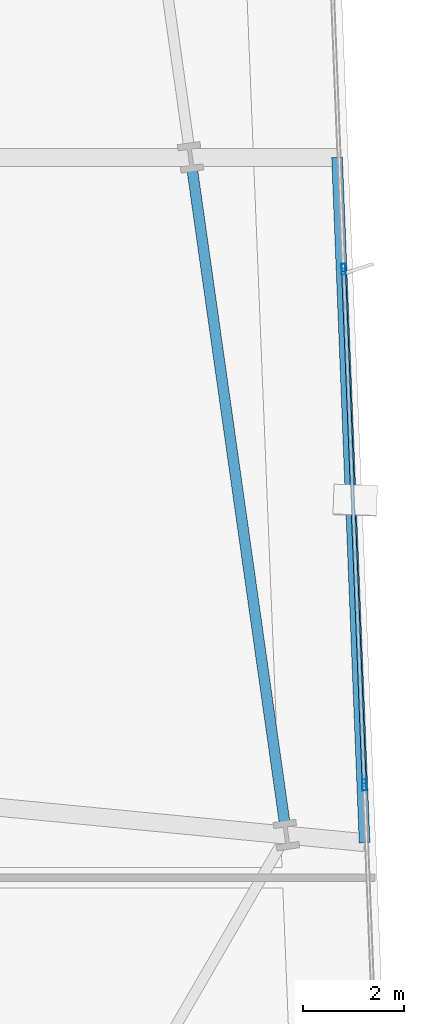
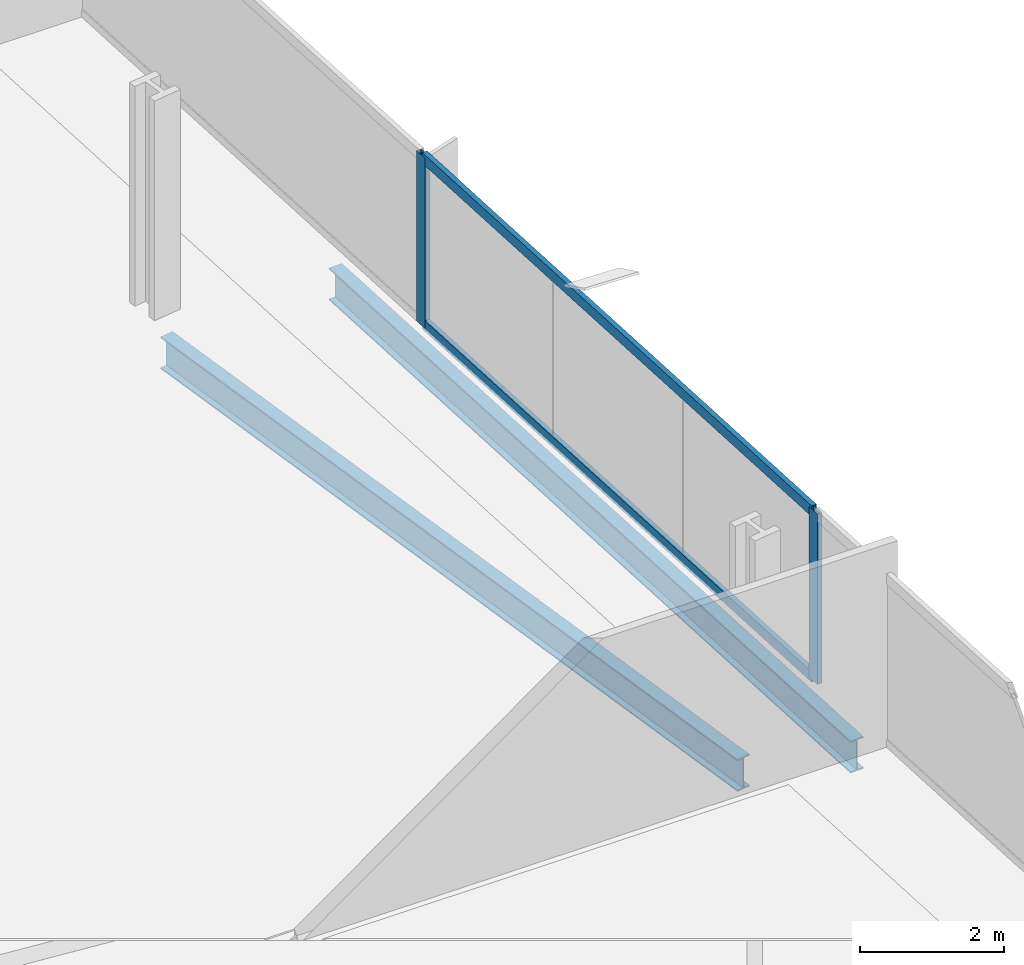
# One storey, part 13 of 32: 4 members, 2 beams, 1 element without a shape of its own.
"""IFC4 building model written with IfcOpenShell, lengths in metres."""

from ifc_helpers import new_model, si_unit, direction, frame, origin, origin_2d, place, context, subcontext, project, spatial, hollow_rectangle, i_section, extrude, material, material_profile, profile_set, type_object, element, aggregate, save


model = new_model("IFC4")

# Units and contexts
model_context = context("Model", 3, precision=1e-05, world=origin(), true_north=direction((0.0, 1.0)))
body_context = subcontext(model_context, "Body", "Model", "MODEL_VIEW")
ifc_project = project(units=[si_unit("LENGTHUNIT", "METRE"), si_unit("AREAUNIT", "SQUARE_METRE"), si_unit("VOLUMEUNIT", "CUBIC_METRE"), si_unit("PLANEANGLEUNIT", "RADIAN"), si_unit("MASSUNIT", "GRAM", prefix="KILO")], contexts=[model_context])

# Site, building, storey
site_placement = place(None, origin())
site = spatial("IfcSite", under=ifc_project, at=site_placement, CompositionType="ELEMENT")
building_placement = place(site_placement, origin())
building = spatial("IfcBuilding", under=site, at=building_placement, Name="Haldenkirk Collegiate Tower", CompositionType="ELEMENT")
storey_placement = place(building_placement, frame((0.0, 0.0, 36.449951171875)))
storey = spatial("IfcBuildingStorey", under=building, at=storey_placement, Name="L07", CompositionType="ELEMENT", Elevation=36.449951171875)

# Beams
ifc_material_1 = material(Name="Steel ASTM A992 Grade 50", Category="steel")
ifc_material_profile_1 = material_profile(ifc_material_1, i_section(OverallWidth=0.2119140625, OverallDepth=0.5439453125, WebThickness=0.01318359375, FlangeThickness=0.021240234375, at=origin_2d()), Name="W21X83")
ifc_profile_set_1 = profile_set([ifc_material_profile_1], Name="Steel ASTM A992 Grade 50")
beam_type = type_object("IfcBeamType", Name="BM-SPANDREL-W21X83", PredefinedType="SPANDREL", material=ifc_profile_set_1)
beam_1_placement = place(storey_placement, frame((61.611083984375, 16.65478515625, -0.58203125), z_axis=(-0.140040904101, 0.990145719164, 0.0), x_axis=(-0.990145719164, -0.140040904101, 0.0)))
element("IfcBeam", 1, at=beam_1_placement, inside=storey, type_object=beam_type, Name="L07 perimeter spandrel beam 06", PredefinedType="SPANDREL", context=body_context, shape_type="SweptSolid", body=[
    extrude(i_section(OverallWidth=0.2119140625, OverallDepth=0.5439453125, WebThickness=0.01318359375, FlangeThickness=0.021240234375, at=origin_2d()), origin(), (0.0, 0.0, 1.0), 13.000244140625),
])
beam_2_placement = place(storey_placement, frame((63.193603515625, 16.243896484375, -0.58203125), z_axis=(-0.040144253622, 0.999193894548, 0.0), x_axis=(-0.999193894548, -0.040144253622, 0.0)))
element("IfcBeam", 2, at=beam_2_placement, inside=storey, type_object=beam_type, Name="L07 outer facade edge beam 2", PredefinedType="SPANDREL", context=body_context, shape_type="SweptSolid", body=[
    extrude(i_section(OverallWidth=0.2119140625, OverallDepth=0.5439453125, WebThickness=0.01318359375, FlangeThickness=0.021240234375, at=origin_2d()), origin(), (0.0, 0.0, 1.0), 13.555908203125),
])

# Curtain wall, members
ifc_material_2 = material(Name="Anodised architectural bronze aluminium", Category="aluminium")
curtain_wall_type = type_object("IfcCurtainWallType", Name="CW-SYS1-CONVEX-LOW", PredefinedType="USERDEFINED", material=ifc_material_2)
curtain_wall_placement = place(storey_placement, origin())
curtain_wall = element("IfcCurtainWall", 3, at=curtain_wall_placement, inside=storey, type_object=curtain_wall_type, Name="L07 Lower tower convex bronze-framed unitised curtain wall", ObjectType="UNITISED CURTAIN WALL", PredefinedType="USERDEFINED")
ifc_material_profile_2 = material_profile(ifc_material_2, hollow_rectangle(XDim=0.080078125, YDim=0.219970703125, WallThickness=0.0048828125, at=origin_2d()), Name="CW-MUL-1A")
ifc_profile_set_2 = profile_set([ifc_material_profile_2], Name="Anodised architectural bronze aluminium")
member_type_1 = type_object("IfcMemberType", Name="CW-MUL-1A", PredefinedType="MULLION", material=ifc_profile_set_2)
member_1_placement = place(storey_placement, frame((62.7783203125, 27.575927734375, 0.0), z_axis=(0.0, 0.0, 1.0), x_axis=(0.999194371406, 0.040132382816, 0.0)))
member_1 = element("IfcMember", 4, at=member_1_placement, type_object=member_type_1, Name="CW-1A mullion 3", PredefinedType="MULLION", context=body_context, shape_type="SweptSolid", body=[
    extrude(hollow_rectangle(XDim=0.080078125, YDim=0.219970703125, WallThickness=0.0048828125, at=origin_2d()), origin(), (0.0, 0.0, 1.0), 2.89111328125),
])
member_2_placement = place(storey_placement, frame((63.187744140625, 17.38427734375, 0.0), z_axis=(0.0, 0.0, 1.0), x_axis=(0.999194371406, 0.040132382816, 0.0)))
member_2 = element("IfcMember", 5, at=member_2_placement, type_object=member_type_1, Name="CW-1A mullion 4", PredefinedType="MULLION", context=body_context, shape_type="SweptSolid", body=[
    extrude(hollow_rectangle(XDim=0.080078125, YDim=0.219970703125, WallThickness=0.0048828125, at=origin_2d()), origin(), (0.0, 0.0, 1.0), 2.89111328125),
])
ifc_material_profile_3 = material_profile(ifc_material_2, hollow_rectangle(XDim=0.080078125, YDim=0.179931640625, WallThickness=0.0048828125, at=origin_2d()), Name="CW-TRN-1A")
ifc_profile_set_3 = profile_set([ifc_material_profile_3], Name="Anodised architectural bronze aluminium")
member_type_2 = type_object("IfcMemberType", Name="CW-TRN-1A", PredefinedType="USERDEFINED", material=ifc_profile_set_3)
member_3_placement = place(storey_placement, frame((62.77978515625, 27.535888671875, 0.0400390625), z_axis=(0.040143384486, -0.999193929466, 0.0), x_axis=(0.999193929466, 0.040143384486, 0.0)))
member_3 = element("IfcMember", 6, at=member_3_placement, type_object=member_type_2, Name="CW-1A transom 3.1", ObjectType="TRANSOM", PredefinedType="USERDEFINED", context=body_context, shape_type="SweptSolid", body=[
    extrude(hollow_rectangle(XDim=0.080078125, YDim=0.179931640625, WallThickness=0.0048828125, at=origin_2d()), origin(), (0.0, 0.0, 1.0), 10.119873046875),
])
member_4_placement = place(storey_placement, frame((62.77978515625, 27.535888671875, 2.85107421875), z_axis=(0.040143384486, -0.999193929466, 0.0), x_axis=(0.999193929466, 0.040143384486, 0.0)))
member_4 = element("IfcMember", 7, at=member_4_placement, type_object=member_type_2, Name="CW-1A transom 3.2", ObjectType="TRANSOM", PredefinedType="USERDEFINED", context=body_context, shape_type="SweptSolid", body=[
    extrude(hollow_rectangle(XDim=0.080078125, YDim=0.179931640625, WallThickness=0.0048828125, at=origin_2d()), origin(), (0.0, 0.0, 1.0), 10.119873046875),
])
aggregate(curtain_wall, [member_1, member_2, member_3, member_4])

save(model, "model.ifc")
